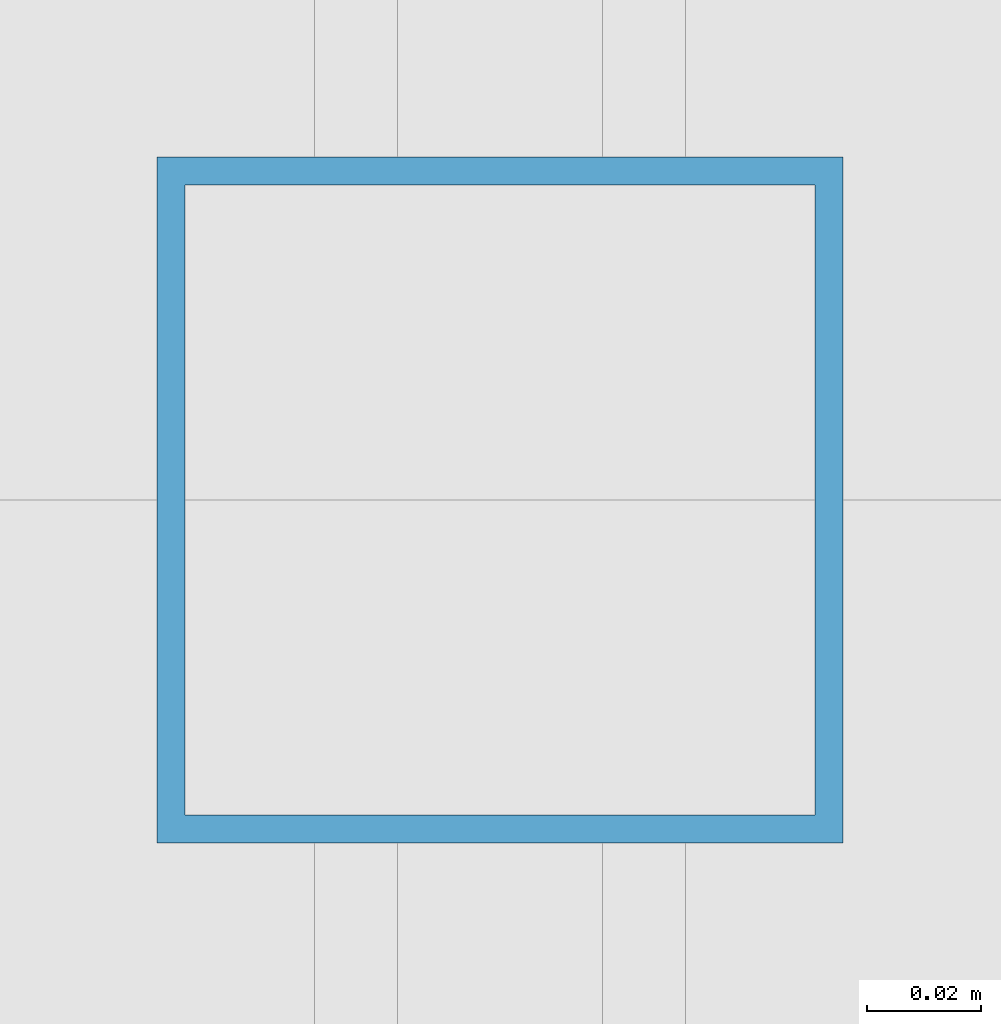
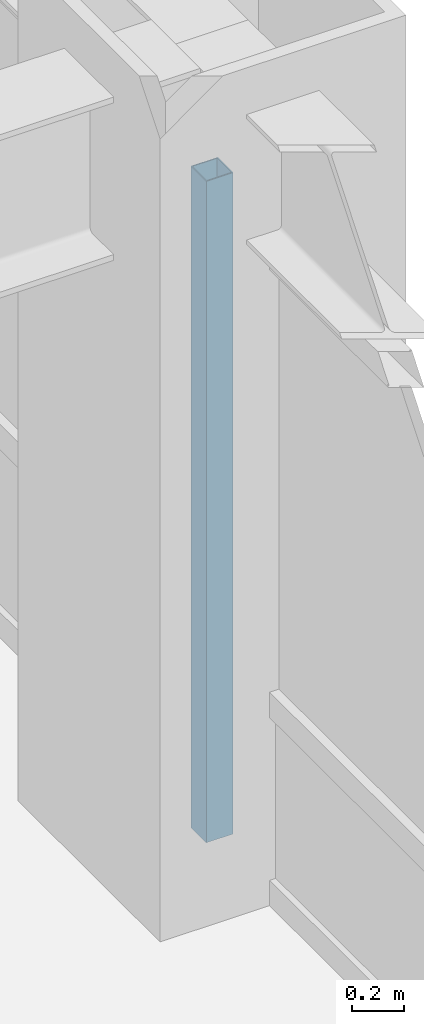
# One storey, part 10 of 25: 1 member, 1 element without a shape of its own.
"""IFC4 building model written with IfcOpenShell, lengths in metres."""

from ifc_helpers import new_model, si_unit, direction, frame, origin, origin_2d, place, context, subcontext, project, spatial, hollow_rectangle, extrude, source, transform, mapped, material, material_profile, profile_set, type_object, element, aggregate, save


model = new_model("IFC4")

# Units and contexts
model_context = context("Model", 3, precision=1e-05, world=origin(), true_north=direction((0.0, 1.0)))
body_context = subcontext(model_context, "Body", "Model", "MODEL_VIEW")
ifc_project = project(units=[si_unit("LENGTHUNIT", "METRE"), si_unit("AREAUNIT", "SQUARE_METRE"), si_unit("VOLUMEUNIT", "CUBIC_METRE"), si_unit("PLANEANGLEUNIT", "RADIAN"), si_unit("MASSUNIT", "GRAM", prefix="KILO")], contexts=[model_context])

# Site, building, storey
site_placement = place(None, origin())
site = spatial("IfcSite", under=ifc_project, at=site_placement, CompositionType="ELEMENT")
building_placement = place(site_placement, origin())
building = spatial("IfcBuilding", under=site, at=building_placement, Name="Khorayat Bourse Tower", CompositionType="ELEMENT")
storey_placement = place(building_placement, frame((0.0, 0.0, 199.10009765625)))
storey = spatial("IfcBuildingStorey", under=building, at=storey_placement, Name="L46", CompositionType="ELEMENT", Elevation=199.10009765625)

# Curtain wall, member
ifc_material = material(Name="Aluminium EN AW-6063 T6", Category="aluminium")
curtain_wall_type = type_object("IfcCurtainWallType", Name="CW-SYS-03", PredefinedType="NOTDEFINED", material=ifc_material)
curtain_wall_placement = place(storey_placement, origin())
curtain_wall = element("IfcCurtainWall", 1, at=curtain_wall_placement, inside=storey, type_object=curtain_wall_type, Name="L46 Curtain Wall CW-L46-E1", PredefinedType="NOTDEFINED")
ifc_material_profile = material_profile(ifc_material, hollow_rectangle(XDim=0.1201171875, YDim=0.1201171875, WallThickness=0.0048828125, at=origin_2d()), Name="ALU 120x120x5")
ifc_profile_set = profile_set([ifc_material_profile], Name="Aluminium EN AW-6063 T6")
member_type = type_object("IfcMemberType", Name="CWM-VERT-120", PredefinedType="MULLION", material=ifc_profile_set)
shared_shape = source(origin(), body_context, "Body", "SweptSolid", [
    extrude(hollow_rectangle(XDim=0.1201171875, YDim=0.1201171875, WallThickness=0.0048828125, at=origin_2d()), origin(), (0.0, 0.0, 1.0), 3.1298828125),
])
member_placement = place(storey_placement, frame((30.0, 0.0, 0.0), z_axis=(0.0, 0.0, 1.0), x_axis=(-1.0, 0.0, 0.0)))
member = element("IfcMember", 2, at=member_placement, type_object=member_type, Name="CW-L46-E1 Vertical Mullion 2", PredefinedType="MULLION", context=body_context, shape_type="MappedRepresentation", body=[
    mapped(shared_shape, transform((0.0, 0.0, 0.0), scale=1.0)),
])
aggregate(curtain_wall, [member])

save(model, "model.ifc")
